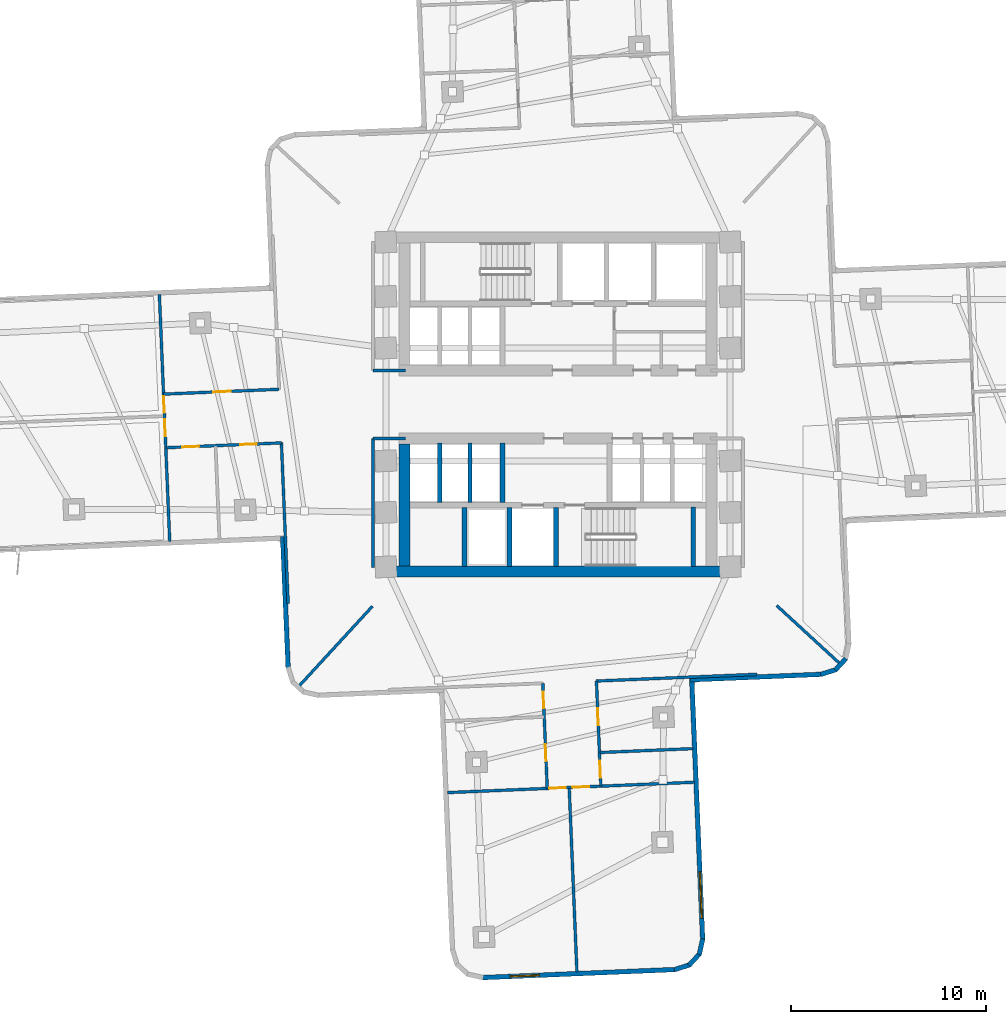
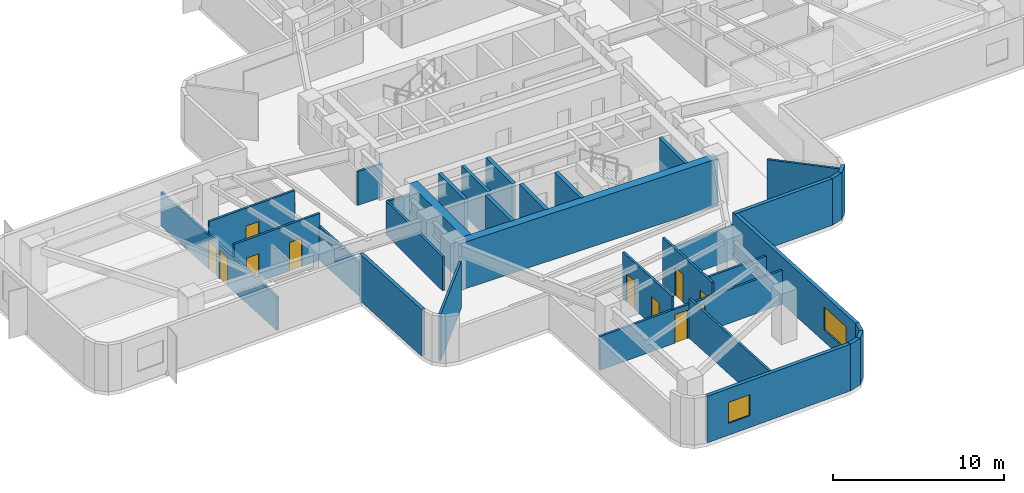
# One storey, part 3 of 10: 33 walls, 11 doors, 2 windows, 13 openings.
"""IFC4 building model written with IfcOpenShell, lengths in metres."""

from ifc_helpers import new_model, si_unit, direction, frame, frame_2d, origin, place, context, subcontext, project, spatial, rectangle, extrude, material, layer, layer_set, type_object, element, fill, save


model = new_model("IFC4")

# Units and contexts
model_context = context("Model", 3, precision=1e-05, world=origin(), true_north=direction((0.0, 1.0)))
body_context = subcontext(model_context, "Body", "Model", "MODEL_VIEW")
ifc_project = project(units=[si_unit("LENGTHUNIT", "METRE"), si_unit("AREAUNIT", "SQUARE_METRE"), si_unit("VOLUMEUNIT", "CUBIC_METRE"), si_unit("PLANEANGLEUNIT", "RADIAN"), si_unit("MASSUNIT", "GRAM", prefix="KILO")], contexts=[model_context])

# Site, building, storey
site_placement = place(None, origin())
site = spatial("IfcSite", under=ifc_project, at=site_placement, CompositionType="ELEMENT")
building_placement = place(site_placement, origin())
building = spatial("IfcBuilding", under=site, at=building_placement, Name="Solmarez Civic Tower", CompositionType="ELEMENT")
storey_placement = place(building_placement, frame((0.0, 0.0, 42.47998046875)))
storey = spatial("IfcBuildingStorey", under=building, at=storey_placement, Name="L10", CompositionType="ELEMENT", Elevation=42.47998046875)

# Walls
ifc_material_1 = material(Name="Concrete C60/75", Category="concrete")
ifc_layer_1 = layer(ifc_material_1, 0.550048828125)
ifc_layer_set_1 = layer_set([ifc_layer_1], Name="Concrete C60/75")
wall_type_1 = type_object("IfcWallType", Name="WALL-CORE-550", PredefinedType="SHEAR", material=ifc_layer_set_1)
wall_1_placement = place(storey_placement, frame((8.780029296875, -8.5849609375, 0.0), z_axis=(0.0, 0.0, 1.0), x_axis=(-1.0, 0.0, 0.0)))
element("IfcWall", 1, at=wall_1_placement, inside=storey, type_object=wall_type_1, Name="L10 Split-Core Structural Wall SCW-S-L10", PredefinedType="SHEAR", context=body_context, shape_type="SweptSolid", body=[
    extrude(rectangle(XDim=17.56005859375, YDim=0.550048828125, at=frame_2d((8.780029296875, 0.0))), origin(), (0.0, 0.0, 1.0), 3.340087890625),
])
wall_2_placement = place(storey_placement, frame((-7.89501953125, -8.31005859375, 0.0), z_axis=(0.0, 0.0, 1.0), x_axis=(0.0, 1.0, 0.0)))
element("IfcWall", 2, at=wall_2_placement, inside=storey, type_object=wall_type_1, Name="L10 Split-Core Structural Wall SCW-W-L10", PredefinedType="SHEAR", context=body_context, shape_type="SweptSolid", body=[
    extrude(rectangle(XDim=6.28515625, YDim=0.550048828125, at=frame_2d((3.142578125, 0.0))), origin(), (0.0, 0.0, 1.0), 3.340087890625),
])
ifc_material_2 = material(Name="Precast concrete C40/50", Category="concrete")
ifc_layer_2 = layer(ifc_material_2, 0.239990234375)
ifc_layer_set_2 = layer_set([ifc_layer_2], Name="Precast concrete C40/50")
wall_type_2 = type_object("IfcWallType", Name="WALL-EXT-240", PredefinedType="SOLIDWALL", material=ifc_layer_set_2)
wall_3_placement = place(storey_placement, frame((14.805908203125, -13.06201171875, 0.0), z_axis=(0.0, 0.0, 1.0), x_axis=(-0.677693750404, -0.735344259965, 0.0)))
element("IfcWall", 3, at=wall_3_placement, inside=storey, type_object=wall_type_2, Name="L10 Exterior Precast Wall 51", PredefinedType="SOLIDWALL", context=body_context, shape_type="SweptSolid", body=[
    extrude(rectangle(XDim=0.81298828125, YDim=0.239990234375, at=frame_2d((0.406494140625, 0.0))), origin(), (0.0, 0.0, 1.0), 3.340087890625),
])
wall_4_placement = place(storey_placement, frame((14.2958984375, -13.635009765625, 0.0), z_axis=(0.0, 0.0, 1.0), x_axis=(-0.954396284631, -0.298542680168, 0.0)))
element("IfcWall", 4, at=wall_4_placement, inside=storey, type_object=wall_type_2, Name="L10 Exterior Precast Wall 52", PredefinedType="SOLIDWALL", context=body_context, shape_type="SweptSolid", body=[
    extrude(rectangle(XDim=0.830810546875, YDim=0.239990234375, at=frame_2d((0.41552734375, 0.0))), origin(), (0.0, 0.0, 1.0), 3.340087890625),
])
wall_5_placement = place(storey_placement, frame((13.552001953125, -13.875, 0.0), z_axis=(0.0, 0.0, 1.0), x_axis=(-0.999127443157, -0.041765444226, 0.0)))
element("IfcWall", 5, at=wall_5_placement, inside=storey, type_object=wall_type_2, Name="L10 Exterior Precast Wall 53", PredefinedType="SOLIDWALL", context=body_context, shape_type="SweptSolid", body=[
    extrude(rectangle(XDim=6.77490234375, YDim=0.239990234375, at=frame_2d((3.387451171875, 0.0))), origin(), (0.0, 0.0, 1.0), 3.340087890625),
])

# Wall, opening, window
wall_6_placement = place(storey_placement, frame((6.875, -14.05810546875, 0.0), z_axis=(0.0, 0.0, 1.0), x_axis=(0.041850586852, -0.999123880397, 0.0)))
wall_6 = element("IfcWall", 6, at=wall_6_placement, inside=storey, type_object=wall_type_2, Name="L10 Exterior Precast Wall 56", PredefinedType="SOLIDWALL", context=body_context, shape_type="SweptSolid", body=[
    extrude(rectangle(XDim=13.4755859375, YDim=0.239990234375, at=frame_2d((6.73779296875, 0.0))), origin(), (0.0, 0.0, 1.0), 3.340087890625),
])
opening_1_placement = place(wall_6_placement, frame((9.97607421875, 0.0, 0.85009765625)))
opening_1 = element("IfcOpeningElement", 7, at=opening_1_placement, cuts=wall_6, Name="Opening W-10", PredefinedType="OPENING", context=body_context, shape_type="SweptSolid", body=[
    extrude(rectangle(XDim=2.39990234375, YDim=1.64990234375, at=frame_2d((1.199951171875, 0.824951171875))), frame((0.0, 0.1298828125, 0.0), z_axis=(0.0, -1.0, 0.0), x_axis=(1.0, 0.0, 0.0)), (0.0, 0.0, 1.0), 0.260009765625),
])
ifc_material_3 = material(Name="Solar Control Bronze-Tinted Insulating Glass", Category="glass")
window_type_1 = type_object("IfcWindowType", Name="WIN-2400X1650", PartitioningType="SINGLE_PANEL", PredefinedType="WINDOW", material=ifc_material_3)
window_1_placement = place(opening_1_placement, origin())
window_1 = element("IfcWindow", 8, at=window_1_placement, inside=storey, type_object=window_type_1, Name="L10 Exterior Facade Window 56", OverallHeight=1.64990234375, OverallWidth=2.39990234375, PartitioningType="SINGLE_PANEL", PredefinedType="WINDOW", context=body_context, shape_type="SweptSolid", body=[
    extrude(rectangle(XDim=2.39990234375, YDim=1.64990234375, at=frame_2d((1.199951171875, 0.824951171875))), frame((0.0, 0.030029296875, 0.0), z_axis=(0.0, -1.0, 0.0), x_axis=(1.0, 0.0, 0.0)), (0.0, 0.0, 1.0), 0.06005859375),
])
fill(opening_1, window_1)

# Walls
wall_7_placement = place(storey_placement, frame((7.443115234375, -27.472900390625, 0.0), z_axis=(0.0, 0.0, 1.0), x_axis=(-0.21736704137, -0.976089939158, 0.0)))
element("IfcWall", 9, at=wall_7_placement, inside=storey, type_object=wall_type_2, Name="L10 Exterior Precast Wall 57", PredefinedType="SOLIDWALL", context=body_context, shape_type="SweptSolid", body=[
    extrude(rectangle(XDim=0.828857421875, YDim=0.239990234375, at=frame_2d((0.41455078125, 0.0))), origin(), (0.0, 0.0, 1.0), 3.340087890625),
])
wall_8_placement = place(storey_placement, frame((7.284912109375, -28.239990234375, 0.0), z_axis=(0.0, 0.0, 1.0), x_axis=(-0.676946063044, -0.73603262681, 0.0)))
element("IfcWall", 10, at=wall_8_placement, inside=storey, type_object=wall_type_2, Name="L10 Exterior Precast Wall 58", PredefinedType="SOLIDWALL", context=body_context, shape_type="SweptSolid", body=[
    extrude(rectangle(XDim=0.81396484375, YDim=0.239990234375, at=frame_2d((0.406982421875, 0.0))), origin(), (0.0, 0.0, 1.0), 3.340087890625),
])
wall_9_placement = place(storey_placement, frame((6.77490234375, -28.81396484375, 0.0), z_axis=(0.0, 0.0, 1.0), x_axis=(-0.954730695464, -0.297471509794, 0.0)))
element("IfcWall", 11, at=wall_9_placement, inside=storey, type_object=wall_type_2, Name="L10 Exterior Precast Wall 59", PredefinedType="SOLIDWALL", context=body_context, shape_type="SweptSolid", body=[
    extrude(rectangle(XDim=0.83056640625, YDim=0.239990234375, at=frame_2d((0.415283203125, 0.0))), origin(), (0.0, 0.0, 1.0), 3.340087890625),
])

# Wall, opening, window
wall_10_placement = place(storey_placement, frame((6.031005859375, -29.052978515625, 0.0), z_axis=(0.0, 0.0, 1.0), x_axis=(-0.999123553269, -0.041858395859, 0.0)))
wall_10 = element("IfcWall", 12, at=wall_10_placement, inside=storey, type_object=wall_type_2, Name="L10 Exterior Precast Wall 60", PredefinedType="SOLIDWALL", context=body_context, shape_type="SweptSolid", body=[
    extrude(rectangle(XDim=9.938720703125, YDim=0.239990234375, at=frame_2d((4.96923828125, 0.0))), origin(), (0.0, 0.0, 1.0), 3.340087890625),
])
opening_2_placement = place(wall_10_placement, frame((7.001953125, 0.0, 0.85009765625)))
opening_2 = element("IfcOpeningElement", 13, at=opening_2_placement, cuts=wall_10, Name="Opening W-14", PredefinedType="OPENING", context=body_context, shape_type="SweptSolid", body=[
    extrude(rectangle(XDim=1.5, YDim=1.5, at=frame_2d((0.75, 0.75))), frame((0.0, 0.1298828125, 0.0), z_axis=(0.0, -1.0, 0.0), x_axis=(1.0, 0.0, 0.0)), (0.0, 0.0, 1.0), 0.260009765625),
])
window_type_2 = type_object("IfcWindowType", Name="WIN-1500X1500", PartitioningType="SINGLE_PANEL", PredefinedType="WINDOW", material=ifc_material_3)
window_2_placement = place(opening_2_placement, origin())
window_2 = element("IfcWindow", 14, at=window_2_placement, inside=storey, type_object=window_type_2, Name="L10 Exterior Facade Window 60", OverallHeight=1.5, OverallWidth=1.5, PartitioningType="SINGLE_PANEL", PredefinedType="WINDOW", context=body_context, shape_type="SweptSolid", body=[
    extrude(rectangle(XDim=1.5, YDim=1.5, at=frame_2d((0.75, 0.75))), frame((0.0, 0.030029296875, 0.0), z_axis=(0.0, -1.0, 0.0), x_axis=(1.0, 0.0, 0.0)), (0.0, 0.0, 1.0), 0.06005859375),
])
fill(opening_2, window_2)

# Walls
wall_11_placement = place(storey_placement, frame((-13.875, -13.552001953125, 0.0), z_axis=(0.0, 0.0, 1.0), x_axis=(-0.041765444226, 0.999127443157, 0.0)))
element("IfcWall", 15, at=wall_11_placement, inside=storey, type_object=wall_type_2, Name="L10 Exterior Precast Wall 71", PredefinedType="SOLIDWALL", context=body_context, shape_type="SweptSolid", body=[
    extrude(rectangle(XDim=6.77490234375, YDim=0.239990234375, at=frame_2d((3.387451171875, 0.0))), origin(), (0.0, 0.0, 1.0), 3.340087890625),
])
ifc_material_4 = material(Name="Gypsum Board Acoustic Steel-Stud Partition", Category="steel")
ifc_layer_3 = layer(ifc_material_4, 0.14990234375)
ifc_layer_set_3 = layer_set([ifc_layer_3], Name="Gypsum Board Acoustic Steel-Stud Partition")
wall_type_3 = type_object("IfcWallType", Name="WALL-INT-FIRE-150", PredefinedType="PARTITIONING", material=ifc_layer_set_3)
wall_12_placement = place(storey_placement, frame((-7.85009765625, 1.75, 0.0), z_axis=(0.0, 0.0, 1.0), x_axis=(-1.0, 0.0, 0.0)))
element("IfcWall", 16, at=wall_12_placement, inside=storey, type_object=wall_type_3, Name="L10 Interior Partition CHW-L10-WN3", PredefinedType="PARTITIONING", context=body_context, shape_type="SweptSolid", body=[
    extrude(rectangle(XDim=1.669921875, YDim=0.14990234375, at=frame_2d((0.8349609375, 0.0))), origin(), (0.0, 0.0, 1.0), 2.405029296875),
])
wall_13_placement = place(storey_placement, frame((-9.52001953125, -8.3798828125, 0.0), z_axis=(0.0, 0.0, 1.0), x_axis=(0.0, 1.0, 0.0)))
element("IfcWall", 17, at=wall_13_placement, inside=storey, type_object=wall_type_3, Name="L10 Interior Partition CHW-L10-WS1", PredefinedType="PARTITIONING", context=body_context, shape_type="SweptSolid", body=[
    extrude(rectangle(XDim=6.6298828125, YDim=0.14990234375, at=frame_2d((3.31494140625, 0.0))), origin(), (0.0, 0.0, 1.0), 2.4208984375),
])
wall_14_placement = place(storey_placement, frame((-7.85009765625, -1.75, 0.0), z_axis=(0.0, 0.0, 1.0), x_axis=(-1.0, 0.0, 0.0)))
element("IfcWall", 18, at=wall_14_placement, inside=storey, type_object=wall_type_3, Name="L10 Interior Partition CHW-L10-WS3", PredefinedType="PARTITIONING", context=body_context, shape_type="SweptSolid", body=[
    extrude(rectangle(XDim=1.669921875, YDim=0.14990234375, at=frame_2d((0.8349609375, 0.0))), origin(), (0.0, 0.0, 1.0), 2.405029296875),
])
ifc_layer_4 = layer(ifc_material_4, 0.14501953125)
ifc_layer_set_4 = layer_set([ifc_layer_4], Name="Gypsum Board Acoustic Steel-Stud Partition")
wall_type_4 = type_object("IfcWallType", Name="WALL-INT-PART-150", PredefinedType="PARTITIONING", material=ifc_layer_set_4)
wall_15_placement = place(storey_placement, frame((-9.5439453125, -10.3798828125, 0.0), z_axis=(0.0, 0.0, 1.0), x_axis=(-0.676856513188, -0.736114977809, 0.0)))
element("IfcWall", 19, at=wall_15_placement, inside=storey, type_object=wall_type_4, Name="L10 Interior Partition PT-L10-QDIV-3", PredefinedType="PARTITIONING", context=body_context, shape_type="SweptSolid", body=[
    extrude(rectangle(XDim=5.5537109375, YDim=0.14501953125, at=frame_2d((2.77685546875, 0.0))), origin(), (0.0, 0.0, 1.0), 3.340087890625),
])
wall_16_placement = place(storey_placement, frame((11.2451171875, -10.340087890625, 0.0), z_axis=(0.0, 0.0, 1.0), x_axis=(0.736178820698, -0.676787074312, 0.0)))
element("IfcWall", 20, at=wall_16_placement, inside=storey, type_object=wall_type_4, Name="L10 Interior Partition PT-L10-QDIV-4", PredefinedType="PARTITIONING", context=body_context, shape_type="SweptSolid", body=[
    extrude(rectangle(XDim=4.3779296875, YDim=0.14501953125, at=frame_2d((2.18896484375, 0.0))), origin(), (0.0, 0.0, 1.0), 3.340087890625),
])
wall_17_placement = place(storey_placement, frame((-14.219970703125, -1.967041015625, 0.0), z_axis=(0.0, 0.0, 1.0), x_axis=(0.041948565382, -0.99911977153, 0.0)))
element("IfcWall", 21, at=wall_17_placement, inside=storey, type_object=wall_type_4, Name="L10 Interior Partition PT-L10-W-EFL", PredefinedType="PARTITIONING", context=body_context, shape_type="SweptSolid", body=[
    extrude(rectangle(XDim=8.270263671875, YDim=0.14501953125, at=frame_2d((4.13525390625, 0.0))), origin(), (0.0, 0.0, 1.0), 2.4208984375),
])

# Wall, openings, doors
wall_18_placement = place(storey_placement, frame((-20.1640625, -2.22607421875, 0.0), z_axis=(0.0, 0.0, 1.0), x_axis=(0.999123588206, 0.041857561916, 0.0)))
wall_18 = element("IfcWall", 22, at=wall_18_placement, inside=storey, type_object=wall_type_4, Name="L10 Interior Partition PT-L10-W-SL", PredefinedType="PARTITIONING", context=body_context, shape_type="SweptSolid", body=[
    extrude(rectangle(XDim=5.94921875, YDim=0.14501953125, at=frame_2d((2.974609375, 0.0))), origin(), (0.0, 0.0, 1.0), 3.340087890625),
])
opening_3_placement = place(wall_18_placement, frame((3.823974609375, 0.0, 0.0)))
opening_3 = element("IfcOpeningElement", 23, at=opening_3_placement, cuts=wall_18, Name="Opening D-14", PredefinedType="OPENING", context=body_context, shape_type="SweptSolid", body=[
    extrude(rectangle(XDim=0.860107421875, YDim=2.0400390625, at=frame_2d((0.43017578125, 1.02001953125))), frame((0.0, 0.08251953125, 0.0), z_axis=(0.0, -1.0, 0.0), x_axis=(1.0, 0.0, 0.0)), (0.0, 0.0, 1.0), 0.1650390625),
])
opening_4_placement = place(wall_18_placement, frame((0.84912109375, 0.0, 0.0)))
opening_4 = element("IfcOpeningElement", 24, at=opening_4_placement, cuts=wall_18, Name="Opening D-14", PredefinedType="OPENING", context=body_context, shape_type="SweptSolid", body=[
    extrude(rectangle(XDim=0.860107421875, YDim=2.0400390625, at=frame_2d((0.43017578125, 1.02001953125))), frame((0.0, 0.08251953125, 0.0), z_axis=(0.0, -1.0, 0.0), x_axis=(1.0, 0.0, 0.0)), (0.0, 0.0, 1.0), 0.1650390625),
])
ifc_material_5 = material(Name="Timber Storage and Pantry Door", Category="wood")
door_type_1 = type_object("IfcDoorType", Name="DOOR-INT-850", OperationType="NOTDEFINED", PredefinedType="DOOR", material=ifc_material_5)
door_1_placement = place(opening_3_placement, origin())
door_1 = element("IfcDoor", 25, at=door_1_placement, inside=storey, type_object=door_type_1, Name="L10 Directorate Office First West Door", OperationType="SINGLE_SWING_LEFT", OverallHeight=2.0400390625, OverallWidth=0.860107421875, PredefinedType="DOOR", context=body_context, shape_type="SweptSolid", body=[
    extrude(rectangle(XDim=0.860107421875, YDim=2.0400390625, at=frame_2d((0.43017578125, 1.02001953125))), frame((0.0, 0.02490234375, 0.0), z_axis=(0.0, -1.0, 0.0), x_axis=(1.0, 0.0, 0.0)), (0.0, 0.0, 1.0), 0.050048828125),
])
fill(opening_3, door_1)
door_2_placement = place(opening_4_placement, origin())
door_2 = element("IfcDoor", 26, at=door_2_placement, inside=storey, type_object=door_type_1, Name="L10 Legal Counselling Room Second West Door", OperationType="SINGLE_SWING_RIGHT", OverallHeight=2.0400390625, OverallWidth=0.860107421875, PredefinedType="DOOR", context=body_context, shape_type="SweptSolid", body=[
    extrude(rectangle(XDim=0.860107421875, YDim=2.0400390625, at=frame_2d((0.43017578125, 1.02001953125))), frame((0.0, 0.02490234375, 0.0), z_axis=(0.0, -1.0, 0.0), x_axis=(1.0, 0.0, 0.0)), (0.0, 0.0, 1.0), 0.050048828125),
])
fill(opening_4, door_2)

# Wall, opening, door
wall_19_placement = place(storey_placement, frame((-14.3349609375, 0.780029296875, 0.0), z_axis=(0.0, 0.0, 1.0), x_axis=(-0.999123875731, -0.041850698257, 0.0)))
wall_19 = element("IfcWall", 27, at=wall_19_placement, inside=storey, type_object=wall_type_4, Name="L10 Interior Partition PT-L10-W-SR", PredefinedType="PARTITIONING", context=body_context, shape_type="SweptSolid", body=[
    extrude(rectangle(XDim=5.9501953125, YDim=0.14501953125, at=frame_2d((2.97509765625, 0.0))), origin(), (0.0, 0.0, 1.0), 3.340087890625),
])
opening_5_placement = place(wall_19_placement, frame((2.4951171875, 0.0, 0.0)))
opening_5 = element("IfcOpeningElement", 28, at=opening_5_placement, cuts=wall_19, Name="Opening D-08", PredefinedType="OPENING", context=body_context, shape_type="SweptSolid", body=[
    extrude(rectangle(XDim=0.89990234375, YDim=2.06005859375, at=frame_2d((0.449951171875, 1.030029296875))), frame((0.0, 0.08251953125, 0.0), z_axis=(0.0, -1.0, 0.0), x_axis=(1.0, 0.0, 0.0)), (0.0, 0.0, 1.0), 0.1650390625),
])
ifc_material_6 = material(Name="Solid-Core Timber Office Door", Category="wood")
door_type_2 = type_object("IfcDoorType", Name="DOOR-INT-900", OperationType="NOTDEFINED", PredefinedType="DOOR", material=ifc_material_6)
door_3_placement = place(opening_5_placement, origin())
door_3 = element("IfcDoor", 29, at=door_3_placement, inside=storey, type_object=door_type_2, Name="L10 Citizen Consultation Room Third West Door", OperationType="SINGLE_SWING_RIGHT", OverallHeight=2.06005859375, OverallWidth=0.89990234375, PredefinedType="DOOR", context=body_context, shape_type="SweptSolid", body=[
    extrude(rectangle(XDim=0.89990234375, YDim=2.06005859375, at=frame_2d((0.449951171875, 1.030029296875))), frame((0.0, 0.02490234375, 0.0), z_axis=(0.0, -1.0, 0.0), x_axis=(1.0, 0.0, 0.0)), (0.0, 0.0, 1.0), 0.050048828125),
])
fill(opening_5, door_3)

# Wall, openings, doors
wall_20_placement = place(storey_placement, frame((-19.962890625, -7.037109375, 0.0), z_axis=(0.0, 0.0, 1.0), x_axis=(-0.041873423051, 0.999122923589, 0.0)))
wall_20 = element("IfcWall", 30, at=wall_20_placement, inside=storey, type_object=wall_type_4, Name="L10 Interior Partition PT-L10-W-END", PredefinedType="PARTITIONING", context=body_context, shape_type="SweptSolid", body=[
    extrude(rectangle(XDim=12.71044921875, YDim=0.14501953125, at=frame_2d((6.355224609375, 0.0))), origin(), (0.0, 0.0, 1.0), 2.4208984375),
])
opening_6_placement = place(wall_20_placement, frame((6.614990234375, 0.0, 0.0)))
opening_6 = element("IfcOpeningElement", 31, at=opening_6_placement, cuts=wall_20, Name="Opening D-14", PredefinedType="OPENING", context=body_context, shape_type="SweptSolid", body=[
    extrude(rectangle(XDim=0.860107421875, YDim=2.0400390625, at=frame_2d((0.43017578125, 1.02001953125))), frame((0.0, 0.08251953125, 0.0), z_axis=(0.0, -1.0, 0.0), x_axis=(1.0, 0.0, 0.0)), (0.0, 0.0, 1.0), 0.1650390625),
])
opening_7_placement = place(wall_20_placement, frame((5.4150390625, 0.0, 0.0)))
opening_7 = element("IfcOpeningElement", 32, at=opening_7_placement, cuts=wall_20, Name="Opening D-14", PredefinedType="OPENING", context=body_context, shape_type="SweptSolid", body=[
    extrude(rectangle(XDim=0.860107421875, YDim=2.0400390625, at=frame_2d((0.43017578125, 1.02001953125))), frame((0.0, 0.08251953125, 0.0), z_axis=(0.0, -1.0, 0.0), x_axis=(1.0, 0.0, 0.0)), (0.0, 0.0, 1.0), 0.1650390625),
])
door_4_placement = place(opening_6_placement, origin())
door_4 = element("IfcDoor", 33, at=door_4_placement, inside=storey, type_object=door_type_1, Name="L10 Policy Administration Office Sixth West Door", OperationType="SINGLE_SWING_RIGHT", OverallHeight=2.0400390625, OverallWidth=0.860107421875, PredefinedType="DOOR", context=body_context, shape_type="SweptSolid", body=[
    extrude(rectangle(XDim=0.860107421875, YDim=2.0400390625, at=frame_2d((0.43017578125, 1.02001953125))), frame((0.0, 0.02490234375, 0.0), z_axis=(0.0, -1.0, 0.0), x_axis=(1.0, 0.0, 0.0)), (0.0, 0.0, 1.0), 0.050048828125),
])
fill(opening_6, door_4)
door_5_placement = place(opening_7_placement, origin())
door_5 = element("IfcDoor", 34, at=door_5_placement, inside=storey, type_object=door_type_1, Name="L10 Citizen Consultation Room Fifth West Door", OperationType="SINGLE_SWING_LEFT", OverallHeight=2.0400390625, OverallWidth=0.860107421875, PredefinedType="DOOR", context=body_context, shape_type="SweptSolid", body=[
    extrude(rectangle(XDim=0.860107421875, YDim=2.0400390625, at=frame_2d((0.43017578125, 1.02001953125))), frame((0.0, 0.02490234375, 0.0), z_axis=(0.0, -1.0, 0.0), x_axis=(1.0, 0.0, 0.0)), (0.0, 0.0, 1.0), 0.050048828125),
])
fill(opening_7, door_5)

# Walls
wall_21_placement = place(storey_placement, frame((1.967041015625, -14.219970703125, 0.0), z_axis=(0.0, 0.0, 1.0), x_axis=(0.99911977153, 0.041948565382, 0.0)))
element("IfcWall", 35, at=wall_21_placement, inside=storey, type_object=wall_type_4, Name="L10 Interior Partition PT-L10-S-EFL", PredefinedType="PARTITIONING", context=body_context, shape_type="SweptSolid", body=[
    extrude(rectangle(XDim=8.270263671875, YDim=0.14501953125, at=frame_2d((4.13525390625, 0.0))), origin(), (0.0, 0.0, 1.0), 2.4208984375),
])
wall_22_placement = place(storey_placement, frame((2.15087890625, -17.89599609375, 0.0), z_axis=(0.0, 0.0, 1.0), x_axis=(0.999121741873, 0.041901609945, 0.0)))
element("IfcWall", 36, at=wall_22_placement, inside=storey, type_object=wall_type_4, Name="L10 Interior Partition PT-L10-S-LM", PredefinedType="PARTITIONING", context=body_context, shape_type="SweptSolid", body=[
    extrude(rectangle(XDim=4.795166015625, YDim=0.14501953125, at=frame_2d((2.3974609375, 0.0))), origin(), (0.0, 0.0, 1.0), 2.4208984375),
])

# Wall, openings, doors
wall_23_placement = place(storey_placement, frame((2.2041015625, -19.625, 0.0), z_axis=(0.0, 0.0, 1.0), x_axis=(-0.041970303018, 0.999118858627, 0.0)))
wall_23 = element("IfcWall", 37, at=wall_23_placement, inside=storey, type_object=wall_type_4, Name="L10 Interior Partition PT-L10-S-SL", PredefinedType="PARTITIONING", context=body_context, shape_type="SweptSolid", body=[
    extrude(rectangle(XDim=5.409912109375, YDim=0.14501953125, at=frame_2d((2.705078125, 0.0))), origin(), (0.0, 0.0, 1.0), 3.340087890625),
])
opening_8_placement = place(wall_23_placement, frame((3.139892578125, 0.0, 0.0)))
opening_8 = element("IfcOpeningElement", 38, at=opening_8_placement, cuts=wall_23, Name="Opening D-14", PredefinedType="OPENING", context=body_context, shape_type="SweptSolid", body=[
    extrude(rectangle(XDim=0.860107421875, YDim=2.0400390625, at=frame_2d((0.43017578125, 1.02001953125))), frame((0.0, 0.08251953125, 0.0), z_axis=(0.0, -1.0, 0.0), x_axis=(1.0, 0.0, 0.0)), (0.0, 0.0, 1.0), 0.1650390625),
])
opening_9_placement = place(wall_23_placement, frame((0.43505859375, 0.0, 0.0)))
opening_9 = element("IfcOpeningElement", 39, at=opening_9_placement, cuts=wall_23, Name="Opening D-14", PredefinedType="OPENING", context=body_context, shape_type="SweptSolid", body=[
    extrude(rectangle(XDim=0.860107421875, YDim=2.0400390625, at=frame_2d((0.43017578125, 1.02001953125))), frame((0.0, 0.08251953125, 0.0), z_axis=(0.0, -1.0, 0.0), x_axis=(1.0, 0.0, 0.0)), (0.0, 0.0, 1.0), 0.1650390625),
])
door_6_placement = place(opening_8_placement, origin())
door_6 = element("IfcDoor", 40, at=door_6_placement, inside=storey, type_object=door_type_1, Name="L10 Legal Counselling Room First South Door", OperationType="SINGLE_SWING_LEFT", OverallHeight=2.0400390625, OverallWidth=0.860107421875, PredefinedType="DOOR", context=body_context, shape_type="SweptSolid", body=[
    extrude(rectangle(XDim=0.860107421875, YDim=2.0400390625, at=frame_2d((0.43017578125, 1.02001953125))), frame((0.0, 0.02490234375, 0.0), z_axis=(0.0, -1.0, 0.0), x_axis=(1.0, 0.0, 0.0)), (0.0, 0.0, 1.0), 0.050048828125),
])
fill(opening_8, door_6)
door_7_placement = place(opening_9_placement, origin())
door_7 = element("IfcDoor", 41, at=door_7_placement, inside=storey, type_object=door_type_1, Name="L10 Citizen Consultation Room Second South Door", OperationType="SINGLE_SWING_RIGHT", OverallHeight=2.0400390625, OverallWidth=0.860107421875, PredefinedType="DOOR", context=body_context, shape_type="SweptSolid", body=[
    extrude(rectangle(XDim=0.860107421875, YDim=2.0400390625, at=frame_2d((0.43017578125, 1.02001953125))), frame((0.0, 0.02490234375, 0.0), z_axis=(0.0, -1.0, 0.0), x_axis=(1.0, 0.0, 0.0)), (0.0, 0.0, 1.0), 0.050048828125),
])
fill(opening_9, door_7)

wall_24_placement = place(storey_placement, frame((-0.780029296875, -14.3349609375, 0.0), z_axis=(0.0, 0.0, 1.0), x_axis=(0.041782565573, -0.999126727304, 0.0)))
wall_24 = element("IfcWall", 42, at=wall_24_placement, inside=storey, type_object=wall_type_4, Name="L10 Interior Partition PT-L10-S-SR", PredefinedType="PARTITIONING", context=body_context, shape_type="SweptSolid", body=[
    extrude(rectangle(XDim=5.41064453125, YDim=0.14501953125, at=frame_2d((2.705322265625, 0.0))), origin(), (0.0, 0.0, 1.0), 3.340087890625),
])
opening_10_placement = place(wall_24_placement, frame((0.43505859375, 0.0, 0.0)))
opening_10 = element("IfcOpeningElement", 43, at=opening_10_placement, cuts=wall_24, Name="Opening D-14", PredefinedType="OPENING", context=body_context, shape_type="SweptSolid", body=[
    extrude(rectangle(XDim=0.860107421875, YDim=2.0400390625, at=frame_2d((0.43017578125, 1.02001953125))), frame((0.0, 0.08251953125, 0.0), z_axis=(0.0, -1.0, 0.0), x_axis=(1.0, 0.0, 0.0)), (0.0, 0.0, 1.0), 0.1650390625),
])
opening_11_placement = place(wall_24_placement, frame((3.139892578125, 0.0, 0.0)))
opening_11 = element("IfcOpeningElement", 44, at=opening_11_placement, cuts=wall_24, Name="Opening D-14", PredefinedType="OPENING", context=body_context, shape_type="SweptSolid", body=[
    extrude(rectangle(XDim=0.860107421875, YDim=2.0400390625, at=frame_2d((0.43017578125, 1.02001953125))), frame((0.0, 0.08251953125, 0.0), z_axis=(0.0, -1.0, 0.0), x_axis=(1.0, 0.0, 0.0)), (0.0, 0.0, 1.0), 0.1650390625),
])
door_8_placement = place(opening_10_placement, origin())
door_8 = element("IfcDoor", 45, at=door_8_placement, inside=storey, type_object=door_type_1, Name="L10 Policy Administration Office Third South Door", OperationType="SINGLE_SWING_RIGHT", OverallHeight=2.0400390625, OverallWidth=0.860107421875, PredefinedType="DOOR", context=body_context, shape_type="SweptSolid", body=[
    extrude(rectangle(XDim=0.860107421875, YDim=2.0400390625, at=frame_2d((0.43017578125, 1.02001953125))), frame((0.0, 0.02490234375, 0.0), z_axis=(0.0, -1.0, 0.0), x_axis=(1.0, 0.0, 0.0)), (0.0, 0.0, 1.0), 0.050048828125),
])
fill(opening_10, door_8)
door_9_placement = place(opening_11_placement, origin())
door_9 = element("IfcDoor", 46, at=door_9_placement, inside=storey, type_object=door_type_1, Name="L10 Directorate Office Fourth South Door", OperationType="SINGLE_SWING_LEFT", OverallHeight=2.0400390625, OverallWidth=0.860107421875, PredefinedType="DOOR", context=body_context, shape_type="SweptSolid", body=[
    extrude(rectangle(XDim=0.860107421875, YDim=2.0400390625, at=frame_2d((0.43017578125, 1.02001953125))), frame((0.0, 0.02490234375, 0.0), z_axis=(0.0, -1.0, 0.0), x_axis=(1.0, 0.0, 0.0)), (0.0, 0.0, 1.0), 0.050048828125),
])
fill(opening_11, door_9)

# Wall
wall_25_placement = place(storey_placement, frame((0.577880859375, -19.7529296875, 0.0), z_axis=(0.0, 0.0, 1.0), x_axis=(0.041866246522, -0.999123224333, 0.0)))
element("IfcWall", 47, at=wall_25_placement, inside=storey, type_object=wall_type_4, Name="L10 Interior Partition PT-L10-S-TM", PredefinedType="PARTITIONING", context=body_context, shape_type="SweptSolid", body=[
    extrude(rectangle(XDim=9.435302734375, YDim=0.14501953125, at=frame_2d((4.7177734375, 0.0))), origin(), (0.0, 0.0, 1.0), 2.83203125),
])

# Wall, openings, doors
wall_26_placement = place(storey_placement, frame((7.014892578125, -19.423095703125, 0.0), z_axis=(0.0, 0.0, 1.0), x_axis=(-0.99912047737, -0.041931750497, 0.0)))
wall_26 = element("IfcWall", 48, at=wall_26_placement, inside=storey, type_object=wall_type_4, Name="L10 Interior Partition PT-L10-S-END", PredefinedType="PARTITIONING", context=body_context, shape_type="SweptSolid", body=[
    extrude(rectangle(XDim=12.710205078125, YDim=0.14501953125, at=frame_2d((6.35498046875, 0.0))), origin(), (0.0, 0.0, 1.0), 2.4208984375),
])
opening_12_placement = place(wall_26_placement, frame((6.614990234375, 0.0, 0.0)))
opening_12 = element("IfcOpeningElement", 49, at=opening_12_placement, cuts=wall_26, Name="Opening D-14", PredefinedType="OPENING", context=body_context, shape_type="SweptSolid", body=[
    extrude(rectangle(XDim=0.860107421875, YDim=2.0400390625, at=frame_2d((0.43017578125, 1.02001953125))), frame((0.0, 0.08251953125, 0.0), z_axis=(0.0, -1.0, 0.0), x_axis=(1.0, 0.0, 0.0)), (0.0, 0.0, 1.0), 0.1650390625),
])
opening_13_placement = place(wall_26_placement, frame((5.4150390625, 0.0, 0.0)))
opening_13 = element("IfcOpeningElement", 50, at=opening_13_placement, cuts=wall_26, Name="Opening D-14", PredefinedType="OPENING", context=body_context, shape_type="SweptSolid", body=[
    extrude(rectangle(XDim=0.860107421875, YDim=2.0400390625, at=frame_2d((0.43017578125, 1.02001953125))), frame((0.0, 0.08251953125, 0.0), z_axis=(0.0, -1.0, 0.0), x_axis=(1.0, 0.0, 0.0)), (0.0, 0.0, 1.0), 0.1650390625),
])
door_10_placement = place(opening_12_placement, origin())
door_10 = element("IfcDoor", 51, at=door_10_placement, inside=storey, type_object=door_type_1, Name="L10 Directorate Office Sixth South Door", OperationType="SINGLE_SWING_RIGHT", OverallHeight=2.0400390625, OverallWidth=0.860107421875, PredefinedType="DOOR", context=body_context, shape_type="SweptSolid", body=[
    extrude(rectangle(XDim=0.860107421875, YDim=2.0400390625, at=frame_2d((0.43017578125, 1.02001953125))), frame((0.0, 0.02490234375, 0.0), z_axis=(0.0, -1.0, 0.0), x_axis=(1.0, 0.0, 0.0)), (0.0, 0.0, 1.0), 0.050048828125),
])
fill(opening_12, door_10)
door_11_placement = place(opening_13_placement, origin())
door_11 = element("IfcDoor", 52, at=door_11_placement, inside=storey, type_object=door_type_1, Name="L10 Policy Administration Office Fifth South Door", OperationType="SINGLE_SWING_LEFT", OverallHeight=2.0400390625, OverallWidth=0.860107421875, PredefinedType="DOOR", context=body_context, shape_type="SweptSolid", body=[
    extrude(rectangle(XDim=0.860107421875, YDim=2.0400390625, at=frame_2d((0.43017578125, 1.02001953125))), frame((0.0, 0.02490234375, 0.0), z_axis=(0.0, -1.0, 0.0), x_axis=(1.0, 0.0, 0.0)), (0.0, 0.0, 1.0), 0.050048828125),
])
fill(opening_13, door_11)

# Walls
ifc_material_7 = material(Name="Concrete C50/60", Category="concrete")
ifc_layer_5 = layer(ifc_material_7, 0.300048828125)
ifc_layer_set_5 = layer_set([ifc_layer_5], Name="Concrete C50/60")
wall_type_5 = type_object("IfcWallType", Name="WALL-STR-300", PredefinedType="SOLIDWALL", material=ifc_layer_set_5)
wall_27_placement = place(storey_placement, frame((6.949951171875, -8.340087890625, 0.0), z_axis=(0.0, 0.0, 1.0), x_axis=(0.0, 1.0, 0.0)))
element("IfcWall", 53, at=wall_27_placement, inside=storey, type_object=wall_type_5, Name="L10 Split-Core Structural Wall SHW-SE-L10", PredefinedType="SOLIDWALL", context=body_context, shape_type="SweptSolid", body=[
    extrude(rectangle(XDim=3.06005859375, YDim=0.219970703125, at=frame_2d((1.530029296875, 0.0))), origin(), (0.0, 0.0, 1.0), 3.340087890625),
])
for number, where, z_axis, x_axis, name in (
    (54, (-0.10009765625, -8.340087890625, 0.0), (0.0, 0.0, 1.0), (0.0, 1.0, 0.0), "L10 Split-Core Structural Wall SHW-S1-L10"),
    (55, (-2.5, -8.340087890625, 0.0), (0.0, 0.0, 1.0), (0.0, 1.0, 0.0), "L10 Split-Core Structural Wall SHW-S2-L10"),
    (56, (-4.800048828125, -8.340087890625, 0.0), (0.0, 0.0, 1.0), (0.0, 1.0, 0.0), "L10 Split-Core Structural Wall SHW-S3-L10"),
):
    element("IfcWall", number, at=place(storey_placement, frame(where, z_axis=z_axis, x_axis=x_axis)), inside=storey, type_object=wall_type_5, Name=name, PredefinedType="SOLIDWALL", context=body_context, shape_type="SweptSolid", body=[
        extrude(rectangle(XDim=3.0400390625, YDim=0.25, at=frame_2d((1.52001953125, 0.0))), origin(), (0.0, 0.0, 1.0), 3.340087890625),
    ])
wall_28_placement = place(storey_placement, frame((-2.85009765625, -5.050048828125, 0.0), z_axis=(0.0, 0.0, 1.0), x_axis=(0.0, 1.0, 0.0)))
element("IfcWall", 57, at=wall_28_placement, inside=storey, type_object=wall_type_5, Name="L10 Split-Core Structural Wall SHW-SL1-L10", PredefinedType="SOLIDWALL", context=body_context, shape_type="SweptSolid", body=[
    extrude(rectangle(XDim=3.070068359375, YDim=0.25, at=frame_2d((1.53515625, 0.0))), origin(), (0.0, 0.0, 1.0), 3.340087890625),
])
for number, where, z_axis, x_axis, name in (
    (58, (-6.080078125, -5.050048828125, 0.0), (0.0, 0.0, 1.0), (0.0, 1.0, 0.0), "L10 Split-Core Structural Wall SHW-PLM-L10-1"),
    (59, (-4.52001953125, -5.050048828125, 0.0), (0.0, 0.0, 1.0), (0.0, 1.0, 0.0), "L10 Split-Core Structural Wall SHW-PLM-L10-2"),
):
    element("IfcWall", number, at=place(storey_placement, frame(where, z_axis=z_axis, x_axis=x_axis)), inside=storey, type_object=wall_type_5, Name=name, PredefinedType="SOLIDWALL", context=body_context, shape_type="SweptSolid", body=[
        extrude(rectangle(XDim=3.070068359375, YDim=0.219970703125, at=frame_2d((1.53515625, 0.0))), origin(), (0.0, 0.0, 1.0), 3.340087890625),
    ])

save(model, "model.ifc")
